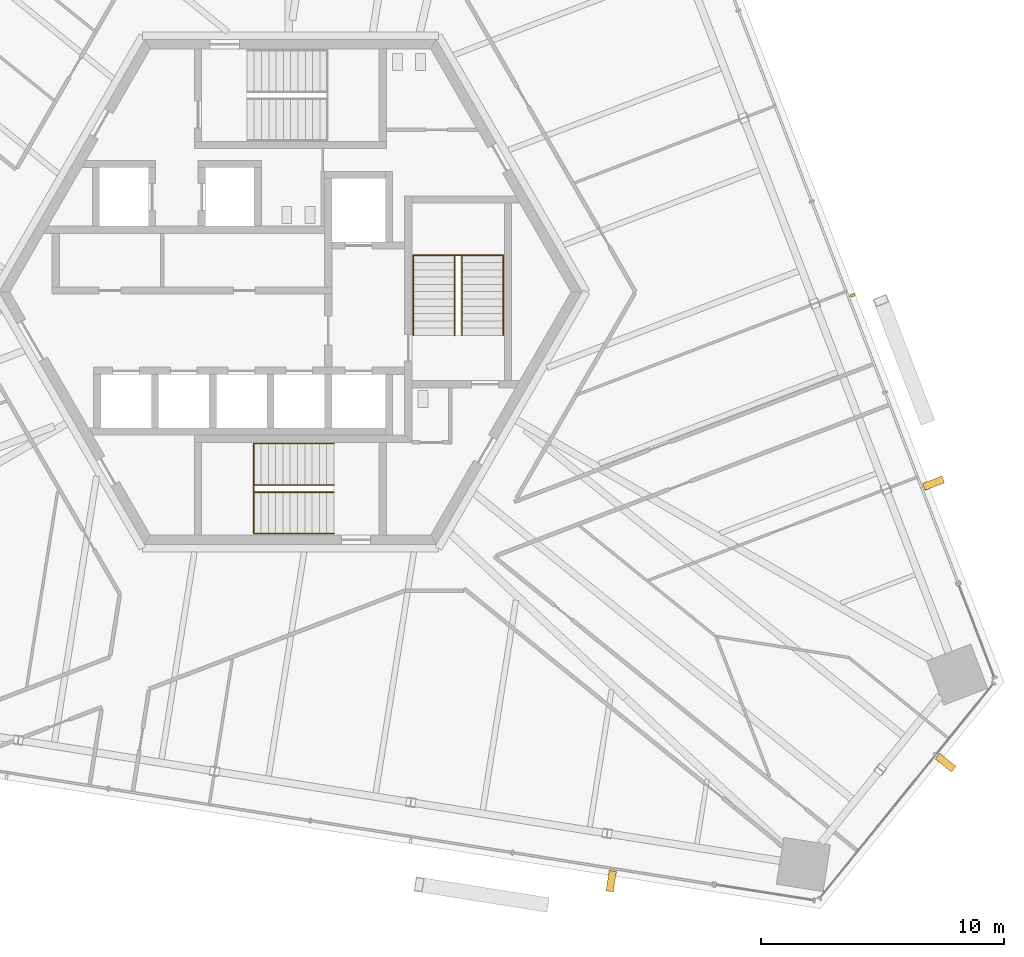
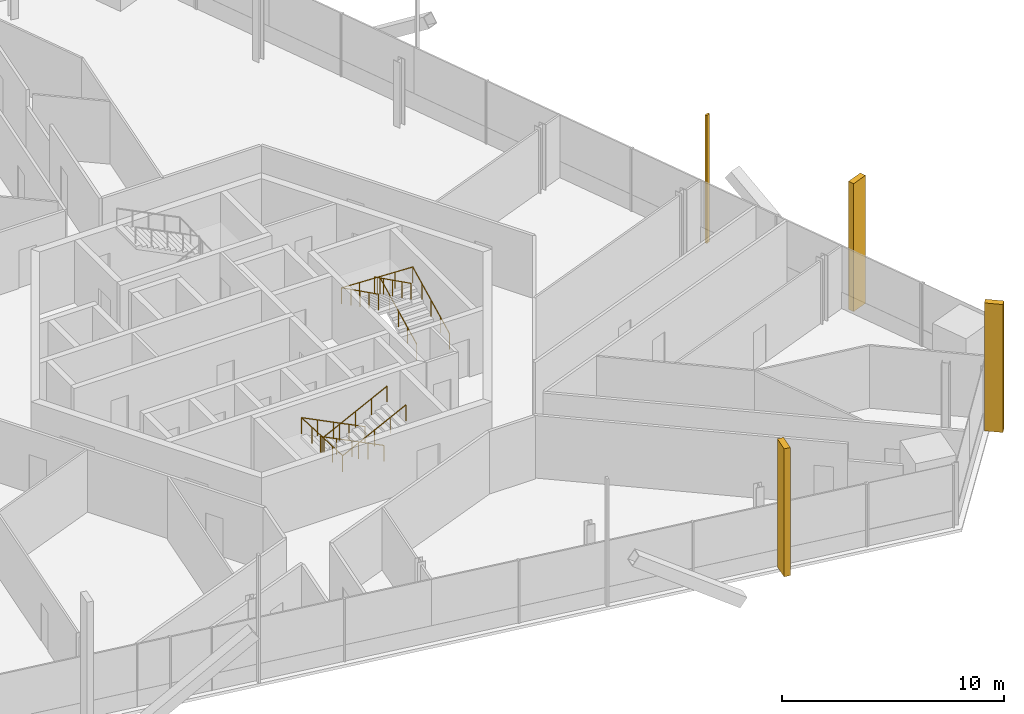
# One storey, part 17 of 21: 4 railings, 4 shading devices.
"""IFC4 building model written with IfcOpenShell, lengths in metres."""

from ifc_helpers import new_model, si_unit, direction, frame, origin, origin_2d, place, context, subcontext, project, spatial, rectangle, circle, extrude, source, transform, mapped, material, type_object, element, save


model = new_model("IFC4")

# Units and contexts
model_context = context("Model", 3, precision=1e-05, world=origin(), true_north=direction((0.0, 1.0)))
body_context = subcontext(model_context, "Body", "Model", "MODEL_VIEW")
ifc_project = project(units=[si_unit("LENGTHUNIT", "METRE"), si_unit("AREAUNIT", "SQUARE_METRE"), si_unit("VOLUMEUNIT", "CUBIC_METRE"), si_unit("PLANEANGLEUNIT", "RADIAN"), si_unit("MASSUNIT", "GRAM", prefix="KILO")], contexts=[model_context])

# Site, building, storey
site_placement = place(None, origin())
site = spatial("IfcSite", under=ifc_project, at=site_placement, CompositionType="ELEMENT")
building_placement = place(site_placement, origin())
building = spatial("IfcBuilding", under=site, at=building_placement, Name="Triune Harvest Tower", CompositionType="ELEMENT")
storey_placement = place(building_placement, frame((0.0, 0.0, 146.10009765625)))
storey = spatial("IfcBuildingStorey", under=building, at=storey_placement, Name="L37", CompositionType="ELEMENT", Elevation=146.10009765625)

# Railings
ifc_material_1 = material(Name="Stainless steel AISI 316", Category="steel")
railing_type = type_object("IfcRailingType", Name="Stair handrail", PredefinedType="HANDRAIL", material=ifc_material_1)
shared_shape_1 = source(origin(), body_context, "Body", "SweptSolid", [
    extrude(circle(Radius=0.02392578125, at=origin_2d()), frame((0.0, 0.0, 0.8759765625), z_axis=(-0.894440424912, 0.0, 0.447187126696), x_axis=(0.0, -1.0, 0.0)), (0.0, 0.0, 1.0), 3.689453125),
    extrude(circle(Radius=0.02392578125, at=origin_2d()), frame((-3.300048828125, 0.0, 2.52587890625), z_axis=(0.0, -0.999177620331, 0.040547293732), x_axis=(1.0, 0.0, 0.0)), (0.0, 0.0, 1.0), 3.702880859375),
    extrude(circle(Radius=0.02392578125, at=origin_2d()), frame((-3.300048828125, -3.699951171875, 2.67578125), z_axis=(0.894440424912, 0.0, 0.447187126696), x_axis=(0.0, 1.0, 0.0)), (0.0, 0.0, 1.0), 3.689453125),
    extrude(circle(Radius=0.02099609375, at=origin_2d()), origin(), (0.0, 0.0, 1.0), 0.851806640625),
    extrude(circle(Radius=0.02099609375, at=origin_2d()), frame((-0.824951171875, 0.0, 0.41259765625)), (0.0, 0.0, 1.0), 0.851806640625),
    extrude(circle(Radius=0.02099609375, at=origin_2d()), frame((-1.64990234375, 0.0, 0.824951171875)), (0.0, 0.0, 1.0), 0.851806640625),
    extrude(circle(Radius=0.02099609375, at=origin_2d()), frame((-2.47509765625, 0.0, 1.2373046875)), (0.0, 0.0, 1.0), 0.851806640625),
    extrude(circle(Radius=0.02099609375, at=origin_2d()), frame((-3.300048828125, 0.0, 1.64990234375)), (0.0, 0.0, 1.0), 0.851806640625),
    extrude(circle(Radius=0.02099609375, at=origin_2d()), frame((-3.300048828125, -0.925048828125, 1.6875)), (0.0, 0.0, 1.0), 0.851806640625),
    extrude(circle(Radius=0.02099609375, at=origin_2d()), frame((-3.300048828125, -1.85009765625, 1.72509765625)), (0.0, 0.0, 1.0), 0.851806640625),
    extrude(circle(Radius=0.02099609375, at=origin_2d()), frame((-3.300048828125, -2.77490234375, 1.762451171875)), (0.0, 0.0, 1.0), 0.851806640625),
    extrude(circle(Radius=0.02099609375, at=origin_2d()), frame((-3.300048828125, -3.699951171875, 1.800048828125)), (0.0, 0.0, 1.0), 0.851806640625),
    extrude(circle(Radius=0.02099609375, at=origin_2d()), frame((-2.47509765625, -3.699951171875, 2.21240234375)), (0.0, 0.0, 1.0), 0.851806640625),
    extrude(circle(Radius=0.02099609375, at=origin_2d()), frame((-1.64990234375, -3.699951171875, 2.625)), (0.0, 0.0, 1.0), 0.851806640625),
    extrude(circle(Radius=0.02099609375, at=origin_2d()), frame((-0.824951171875, -3.699951171875, 3.03759765625)), (0.0, 0.0, 1.0), 0.851806640625),
    extrude(circle(Radius=0.02099609375, at=origin_2d()), frame((0.0, -3.699951171875, 3.449951171875)), (0.0, 0.0, 1.0), 0.851806640625),
])
railing_1_placement = place(storey_placement, frame((1.7900390625, -6.239990234375, 0.14990234375)))
element("IfcRailing", 1, at=railing_1_placement, inside=storey, type_object=railing_type, Name="Exit stair south wall handrail", PredefinedType="HANDRAIL", context=body_context, shape_type="MappedRepresentation", body=[
    mapped(shared_shape_1, transform((0.0, 0.0, 0.0), scale=1.0)),
])
shared_shape_2 = source(origin(), body_context, "Body", "SweptSolid", [
    extrude(circle(Radius=0.02392578125, at=origin_2d()), frame((0.0, 0.0, 0.8759765625), z_axis=(-0.894440424912, 0.0, 0.447187126696), x_axis=(0.0, -1.0, 0.0)), (0.0, 0.0, 1.0), 3.689453125),
    extrude(circle(Radius=0.02392578125, at=origin_2d()), frame((-3.300048828125, 0.0, 2.52587890625), z_axis=(0.0, -0.894281613681, 0.447504631744), x_axis=(1.0, 0.0, 0.0)), (0.0, 0.0, 1.0), 0.33544921875),
    extrude(circle(Radius=0.02392578125, at=origin_2d()), frame((-3.300048828125, -0.300048828125, 2.67578125), z_axis=(0.894440424912, 0.0, 0.447187126696), x_axis=(0.0, 1.0, 0.0)), (0.0, 0.0, 1.0), 3.689453125),
    extrude(circle(Radius=0.02099609375, at=origin_2d()), origin(), (0.0, 0.0, 1.0), 0.851806640625),
    extrude(circle(Radius=0.02099609375, at=origin_2d()), frame((-0.824951171875, 0.0, 0.41259765625)), (0.0, 0.0, 1.0), 0.851806640625),
    extrude(circle(Radius=0.02099609375, at=origin_2d()), frame((-1.64990234375, 0.0, 0.824951171875)), (0.0, 0.0, 1.0), 0.851806640625),
    extrude(circle(Radius=0.02099609375, at=origin_2d()), frame((-2.47509765625, 0.0, 1.2373046875)), (0.0, 0.0, 1.0), 0.851806640625),
    extrude(circle(Radius=0.02099609375, at=origin_2d()), frame((-3.300048828125, 0.0, 1.64990234375)), (0.0, 0.0, 1.0), 0.851806640625),
    extrude(circle(Radius=0.02099609375, at=origin_2d()), frame((-3.300048828125, -0.300048828125, 1.800048828125)), (0.0, 0.0, 1.0), 0.851806640625),
    extrude(circle(Radius=0.02099609375, at=origin_2d()), frame((-2.47509765625, -0.300048828125, 2.21240234375)), (0.0, 0.0, 1.0), 0.851806640625),
    extrude(circle(Radius=0.02099609375, at=origin_2d()), frame((-1.64990234375, -0.300048828125, 2.625)), (0.0, 0.0, 1.0), 0.851806640625),
    extrude(circle(Radius=0.02099609375, at=origin_2d()), frame((-0.824951171875, -0.300048828125, 3.03759765625)), (0.0, 0.0, 1.0), 0.851806640625),
    extrude(circle(Radius=0.02099609375, at=origin_2d()), frame((0.0, -0.300048828125, 3.449951171875)), (0.0, 0.0, 1.0), 0.851806640625),
])
railing_2_placement = place(storey_placement, frame((1.7900390625, -7.93994140625, 0.14990234375)))
element("IfcRailing", 2, at=railing_2_placement, inside=storey, type_object=railing_type, Name="Exit stair south centre handrail", PredefinedType="HANDRAIL", context=body_context, shape_type="MappedRepresentation", body=[
    mapped(shared_shape_2, transform((0.0, 0.0, 0.0), scale=1.0)),
])
shared_shape_3 = source(origin(), body_context, "Body", "SweptSolid", [
    extrude(circle(Radius=0.02392578125, at=origin_2d()), frame((0.0, 0.0, 0.8759765625), z_axis=(0.0, 0.894440424912, 0.447187126696), x_axis=(-1.0, 0.0, 0.0)), (0.0, 0.0, 1.0), 3.689453125),
    extrude(circle(Radius=0.02392578125, at=origin_2d()), frame((0.0, 3.300048828125, 2.52587890625), z_axis=(-0.999177620331, 0.0, 0.040547293732), x_axis=(0.0, -1.0, 0.0)), (0.0, 0.0, 1.0), 3.702880859375),
    extrude(circle(Radius=0.02392578125, at=origin_2d()), frame((-3.699951171875, 3.300048828125, 2.67578125), z_axis=(0.0, -0.894440424912, 0.447187126696), x_axis=(1.0, 0.0, 0.0)), (0.0, 0.0, 1.0), 3.689453125),
    extrude(circle(Radius=0.02099609375, at=origin_2d()), origin(), (0.0, 0.0, 1.0), 0.851806640625),
    extrude(circle(Radius=0.02099609375, at=origin_2d()), frame((0.0, 0.824951171875, 0.41259765625)), (0.0, 0.0, 1.0), 0.851806640625),
    extrude(circle(Radius=0.02099609375, at=origin_2d()), frame((0.0, 1.64990234375, 0.824951171875)), (0.0, 0.0, 1.0), 0.851806640625),
    extrude(circle(Radius=0.02099609375, at=origin_2d()), frame((0.0, 2.47509765625, 1.2373046875)), (0.0, 0.0, 1.0), 0.851806640625),
    extrude(circle(Radius=0.02099609375, at=origin_2d()), frame((0.0, 3.300048828125, 1.64990234375)), (0.0, 0.0, 1.0), 0.851806640625),
    extrude(circle(Radius=0.02099609375, at=origin_2d()), frame((-0.925048828125, 3.300048828125, 1.6875)), (0.0, 0.0, 1.0), 0.851806640625),
    extrude(circle(Radius=0.02099609375, at=origin_2d()), frame((-1.85009765625, 3.300048828125, 1.72509765625)), (0.0, 0.0, 1.0), 0.851806640625),
    extrude(circle(Radius=0.02099609375, at=origin_2d()), frame((-2.77490234375, 3.300048828125, 1.762451171875)), (0.0, 0.0, 1.0), 0.851806640625),
    extrude(circle(Radius=0.02099609375, at=origin_2d()), frame((-3.699951171875, 3.300048828125, 1.800048828125)), (0.0, 0.0, 1.0), 0.851806640625),
    extrude(circle(Radius=0.02099609375, at=origin_2d()), frame((-3.699951171875, 2.47509765625, 2.21240234375)), (0.0, 0.0, 1.0), 0.851806640625),
    extrude(circle(Radius=0.02099609375, at=origin_2d()), frame((-3.699951171875, 1.64990234375, 2.625)), (0.0, 0.0, 1.0), 0.851806640625),
    extrude(circle(Radius=0.02099609375, at=origin_2d()), frame((-3.699951171875, 0.824951171875, 3.03759765625)), (0.0, 0.0, 1.0), 0.851806640625),
    extrude(circle(Radius=0.02099609375, at=origin_2d()), frame((-3.699951171875, 0.0, 3.449951171875)), (0.0, 0.0, 1.0), 0.851806640625),
])
railing_3_placement = place(storey_placement, frame((8.75, -1.7900390625, 0.14990234375)))
element("IfcRailing", 3, at=railing_3_placement, inside=storey, type_object=railing_type, Name="Exit stair east wall handrail", PredefinedType="HANDRAIL", context=body_context, shape_type="MappedRepresentation", body=[
    mapped(shared_shape_3, transform((0.0, 0.0, 0.0), scale=1.0)),
])
shared_shape_4 = source(origin(), body_context, "Body", "SweptSolid", [
    extrude(circle(Radius=0.02392578125, at=origin_2d()), frame((0.0, 0.0, 0.8759765625), z_axis=(0.0, 0.894440424912, 0.447187126696), x_axis=(-1.0, 0.0, 0.0)), (0.0, 0.0, 1.0), 3.689453125),
    extrude(circle(Radius=0.02392578125, at=origin_2d()), frame((0.0, 3.300048828125, 2.52587890625), z_axis=(-0.894281613681, 0.0, 0.447504631744), x_axis=(0.0, -1.0, 0.0)), (0.0, 0.0, 1.0), 0.33544921875),
    extrude(circle(Radius=0.02392578125, at=origin_2d()), frame((-0.300048828125, 3.300048828125, 2.67578125), z_axis=(0.0, -0.894440424912, 0.447187126696), x_axis=(1.0, 0.0, 0.0)), (0.0, 0.0, 1.0), 3.689453125),
    extrude(circle(Radius=0.02099609375, at=origin_2d()), origin(), (0.0, 0.0, 1.0), 0.851806640625),
    extrude(circle(Radius=0.02099609375, at=origin_2d()), frame((0.0, 0.824951171875, 0.41259765625)), (0.0, 0.0, 1.0), 0.851806640625),
    extrude(circle(Radius=0.02099609375, at=origin_2d()), frame((0.0, 1.64990234375, 0.824951171875)), (0.0, 0.0, 1.0), 0.851806640625),
    extrude(circle(Radius=0.02099609375, at=origin_2d()), frame((0.0, 2.47509765625, 1.2373046875)), (0.0, 0.0, 1.0), 0.851806640625),
    extrude(circle(Radius=0.02099609375, at=origin_2d()), frame((0.0, 3.300048828125, 1.64990234375)), (0.0, 0.0, 1.0), 0.851806640625),
    extrude(circle(Radius=0.02099609375, at=origin_2d()), frame((-0.300048828125, 3.300048828125, 1.800048828125)), (0.0, 0.0, 1.0), 0.851806640625),
    extrude(circle(Radius=0.02099609375, at=origin_2d()), frame((-0.300048828125, 2.47509765625, 2.21240234375)), (0.0, 0.0, 1.0), 0.851806640625),
    extrude(circle(Radius=0.02099609375, at=origin_2d()), frame((-0.300048828125, 1.64990234375, 2.625)), (0.0, 0.0, 1.0), 0.851806640625),
    extrude(circle(Radius=0.02099609375, at=origin_2d()), frame((-0.300048828125, 0.824951171875, 3.03759765625)), (0.0, 0.0, 1.0), 0.851806640625),
    extrude(circle(Radius=0.02099609375, at=origin_2d()), frame((-0.300048828125, 0.0, 3.449951171875)), (0.0, 0.0, 1.0), 0.851806640625),
])
railing_4_placement = place(storey_placement, frame((7.050048828125, -1.7900390625, 0.14990234375)))
element("IfcRailing", 4, at=railing_4_placement, inside=storey, type_object=railing_type, Name="Exit stair east centre handrail", PredefinedType="HANDRAIL", context=body_context, shape_type="MappedRepresentation", body=[
    mapped(shared_shape_4, transform((0.0, 0.0, 0.0), scale=1.0)),
])

# Shading devices
ifc_material_2 = material(Name="Aluminium bronze anodised", Category="aluminium")
shared_shape_5 = source(origin(), body_context, "Body", "SweptSolid", [
    extrude(rectangle(XDim=0.10009765625, YDim=0.199951171875, at=origin_2d()), origin(), (0.0, 0.0, 1.0), 7.0400390625),
])
shading_device_placement = place(storey_placement, frame((23.134033203125, -0.13037109375, 0.0), z_axis=(0.0, 0.0, 1.0), x_axis=(-0.35836927228, 0.933579918746, 0.0)))
element("IfcShadingDevice", 5, at=shading_device_placement, inside=storey, material=ifc_material_2, Name="FN-1 fin B4-F1.5 L37", ObjectType="FIN", PredefinedType="USERDEFINED", context=body_context, shape_type="MappedRepresentation", body=[
    mapped(shared_shape_5, transform((0.0, 0.0, 0.0), scale=1.0)),
])
shared_shape_6 = source(origin(), body_context, "Body", "SweptSolid", [
    extrude(rectangle(XDim=0.300048828125, YDim=0.85009765625, at=origin_2d()), origin(), (0.0, 0.0, 1.0), 7.0400390625),
])
for number, where, z_axis, x_axis, name in (
    (6, (26.4521484375, -7.867431640625, 0.0), (0.0, 0.0, 1.0), (-0.35836927228, 0.933579918746, 0.0), "FN-2 fin B4-F1.3 L37"),
    (7, (13.1953125, -24.23828125, 0.0), (0.0, 0.0, 1.0), (0.987688259912, -0.156434974453, 0.0), "FN-2 fin B4-F5.11 L37"),
    (8, (26.953369140625, -19.36572265625, 0.0), (0.0, 0.0, 1.0), (0.629320905414, 0.777145544932, 0.0), "FN-2 fin B4-F6.3 L37"),
):
    element("IfcShadingDevice", number, at=place(storey_placement, frame(where, z_axis=z_axis, x_axis=x_axis)), inside=storey, material=ifc_material_2, Name=name, ObjectType="FIN", PredefinedType="USERDEFINED", context=body_context, shape_type="MappedRepresentation", body=[
        mapped(shared_shape_6, transform((0.0, 0.0, 0.0), scale=1.0)),
    ])

save(model, "model.ifc")
